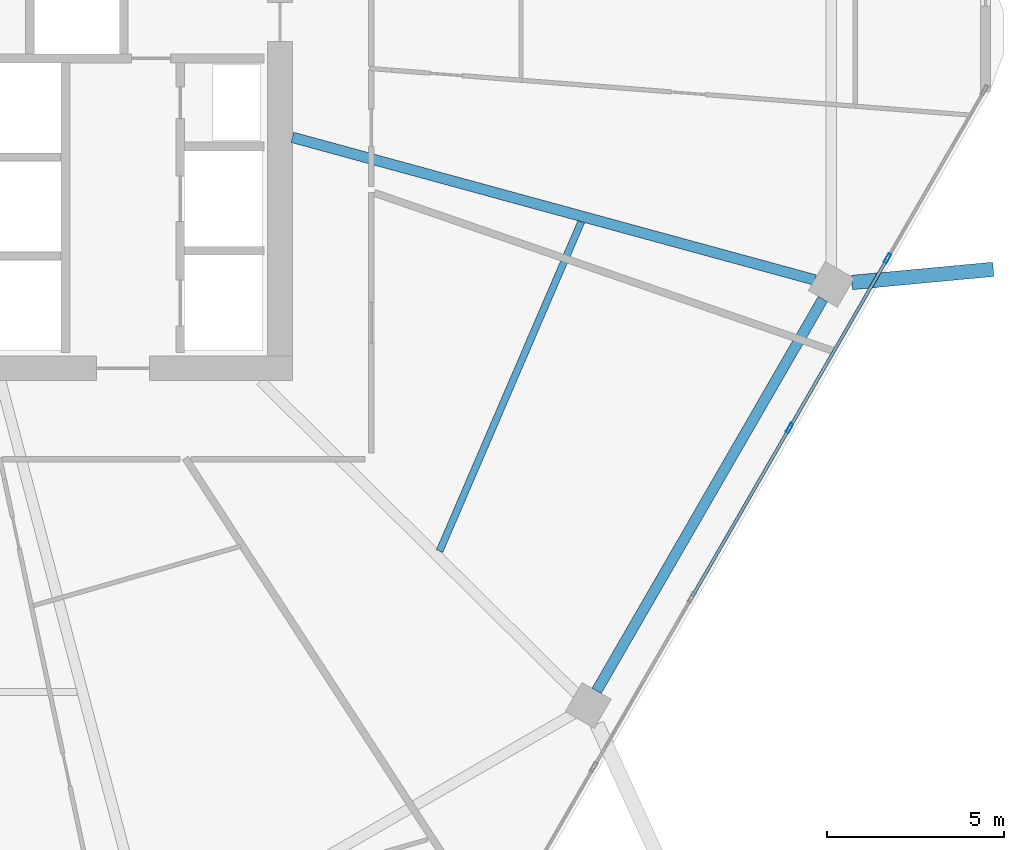
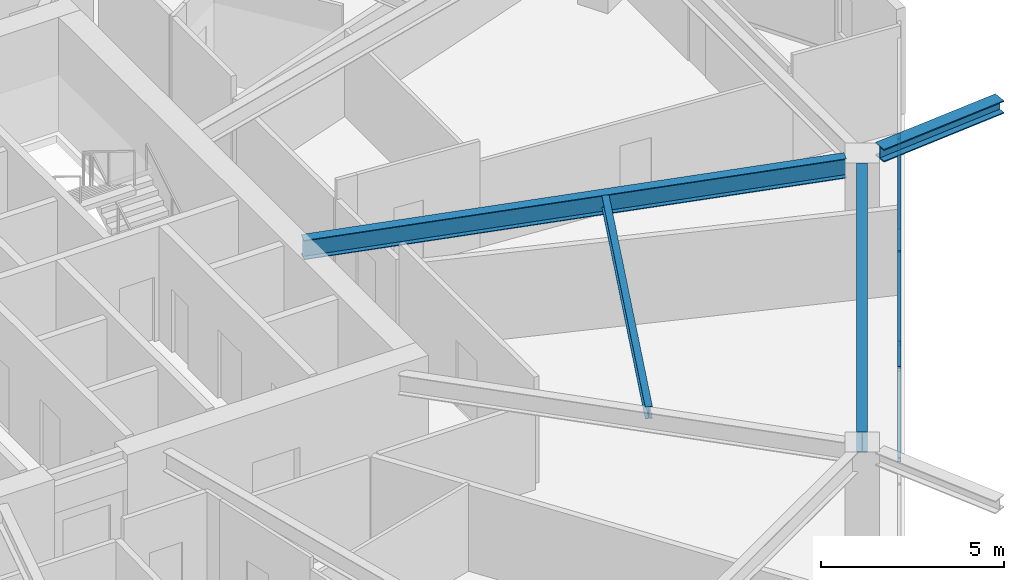
# One storey, part 9 of 27: 6 members, 4 beams, 1 element without a shape of its own.
"""IFC4 building model written with IfcOpenShell, lengths in metres."""

from ifc_helpers import new_model, si_unit, direction, frame, origin, origin_2d, place, context, subcontext, project, spatial, hollow_rectangle, i_section, extrude, material, material_profile, profile_set, type_object, element, aggregate, save


model = new_model("IFC4")

# Units and contexts
model_context = context("Model", 3, precision=1e-05, world=origin(), true_north=direction((0.0, 1.0)))
body_context = subcontext(model_context, "Body", "Model", "MODEL_VIEW")
ifc_project = project(units=[si_unit("LENGTHUNIT", "METRE"), si_unit("AREAUNIT", "SQUARE_METRE"), si_unit("VOLUMEUNIT", "CUBIC_METRE"), si_unit("PLANEANGLEUNIT", "RADIAN"), si_unit("MASSUNIT", "GRAM", prefix="KILO")], contexts=[model_context])

# Site, building, storey
site_placement = place(None, origin())
site = spatial("IfcSite", under=ifc_project, at=site_placement, CompositionType="ELEMENT")
building_placement = place(site_placement, origin())
building = spatial("IfcBuilding", under=site, at=building_placement, Name="Zuhravey Tower", CompositionType="ELEMENT")
storey_placement = place(building_placement, frame((0.0, 0.0, 218.800048828125)))
storey = spatial("IfcBuildingStorey", under=building, at=storey_placement, Name="L55", CompositionType="ELEMENT", Elevation=218.800048828125)

# Curtain wall, members
ifc_material_1 = material(Name="Thermally broken anodised aluminium", Category="aluminium")
curtain_wall_type = type_object("IfcCurtainWallType", Name="Zone 1-2 Residential Curtain Wall CW3", PredefinedType="NOTDEFINED", material=ifc_material_1)
curtain_wall_placement = place(storey_placement, origin())
curtain_wall = element("IfcCurtainWall", 1, at=curtain_wall_placement, inside=storey, type_object=curtain_wall_type, Name="L55 CW3 CW-L55-F6-1", PredefinedType="NOTDEFINED")
ifc_material_2 = material(Name="Anodised aluminium", Category="aluminium")
ifc_material_profile_1 = material_profile(ifc_material_2, hollow_rectangle(XDim=0.090087890625, YDim=0.284912109375, WallThickness=0.0048828125, at=origin_2d()), Name="ALU-RHS-90x285x5")
ifc_profile_set_1 = profile_set([ifc_material_profile_1], Name="Anodised aluminium")
member_type_1 = type_object("IfcMemberType", Name="Curtain-Wall Mullion 90x180", PredefinedType="MULLION", material=ifc_profile_set_1)
member_1_placement = place(storey_placement, frame((63.699462890625, 25.61083984375, 0.0), z_axis=(0.0, 0.0, 1.0), x_axis=(0.866025138215, -0.500000459979, 0.0)))
member_1 = element("IfcMember", 2, at=member_1_placement, type_object=member_type_1, Name="CW3 mullion 2", PredefinedType="MULLION", context=body_context, shape_type="SweptSolid", body=[
    extrude(hollow_rectangle(XDim=0.090087890625, YDim=0.284912109375, WallThickness=0.0048828125, at=origin_2d()), origin(), (0.0, 0.0, 1.0), 3.1220703125),
])
member_2_placement = place(storey_placement, frame((60.92724609375, 20.809326171875, 0.0), z_axis=(0.0, 0.0, 1.0), x_axis=(0.866025138215, -0.500000459979, 0.0)))
member_2 = element("IfcMember", 3, at=member_2_placement, type_object=member_type_1, Name="CW3 mullion 3", PredefinedType="MULLION", context=body_context, shape_type="SweptSolid", body=[
    extrude(hollow_rectangle(XDim=0.090087890625, YDim=0.284912109375, WallThickness=0.0048828125, at=origin_2d()), origin(), (0.0, 0.0, 1.0), 3.1220703125),
])
ifc_material_profile_2 = material_profile(ifc_material_2, hollow_rectangle(XDim=0.090087890625, YDim=0.14990234375, WallThickness=0.0048828125, at=origin_2d()), Name="ALU-RHS-90x150x5")
ifc_profile_set_2 = profile_set([ifc_material_profile_2], Name="Anodised aluminium")
member_type_2 = type_object("IfcMemberType", Name="Curtain-Wall Transom 90x150", PredefinedType="USERDEFINED", material=ifc_profile_set_2)
member_3_placement = place(storey_placement, frame((63.677001953125, 25.572021484375, 0.044921875), z_axis=(-0.49996138257, -0.86604769842, 0.0), x_axis=(0.86604769842, -0.49996138257, 0.0)))
member_3 = element("IfcMember", 4, at=member_3_placement, type_object=member_type_2, Name="CW3 transom 2.1", ObjectType="TRANSOM", PredefinedType="USERDEFINED", context=body_context, shape_type="SweptSolid", body=[
    extrude(hollow_rectangle(XDim=0.090087890625, YDim=0.14990234375, WallThickness=0.0048828125, at=origin_2d()), origin(), (0.0, 0.0, 1.0), 5.45458984375),
])
member_4_placement = place(storey_placement, frame((63.677001953125, 25.572021484375, 3.076904296875), z_axis=(-0.49996138257, -0.86604769842, 0.0), x_axis=(0.86604769842, -0.49996138257, 0.0)))
member_4 = element("IfcMember", 5, at=member_4_placement, type_object=member_type_2, Name="CW3 transom 2.2", ObjectType="TRANSOM", PredefinedType="USERDEFINED", context=body_context, shape_type="SweptSolid", body=[
    extrude(hollow_rectangle(XDim=0.090087890625, YDim=0.14990234375, WallThickness=0.0048828125, at=origin_2d()), origin(), (0.0, 0.0, 1.0), 5.45458984375),
])
member_5_placement = place(storey_placement, frame((60.90478515625, 20.770263671875, 0.044921875), z_axis=(-0.499980763544, -0.866036509673, 0.0), x_axis=(0.866036509673, -0.499980763544, 0.0)))
member_5 = element("IfcMember", 6, at=member_5_placement, type_object=member_type_2, Name="CW3 transom 3.1", ObjectType="TRANSOM", PredefinedType="USERDEFINED", context=body_context, shape_type="SweptSolid", body=[
    extrude(hollow_rectangle(XDim=0.090087890625, YDim=0.14990234375, WallThickness=0.0048828125, at=origin_2d()), origin(), (0.0, 0.0, 1.0), 5.454345703125),
])
member_6_placement = place(storey_placement, frame((60.90478515625, 20.770263671875, 3.076904296875), z_axis=(-0.499980763544, -0.866036509673, 0.0), x_axis=(0.866036509673, -0.499980763544, 0.0)))
member_6 = element("IfcMember", 7, at=member_6_placement, type_object=member_type_2, Name="CW3 transom 3.2", ObjectType="TRANSOM", PredefinedType="USERDEFINED", context=body_context, shape_type="SweptSolid", body=[
    extrude(hollow_rectangle(XDim=0.090087890625, YDim=0.14990234375, WallThickness=0.0048828125, at=origin_2d()), origin(), (0.0, 0.0, 1.0), 5.454345703125),
])
aggregate(curtain_wall, [member_1, member_2, member_3, member_4, member_5, member_6])

# Beams
ifc_material_3 = material(Name="Steel SM460", Category="steel")
ifc_material_profile_3 = material_profile(ifc_material_3, i_section(OverallWidth=0.406982421875, OverallDepth=0.427978515625, WebThickness=0.02001953125, FlangeThickness=0.034912109375, at=origin_2d()), Name="H-428x407x20x35")
ifc_profile_set_3 = profile_set([ifc_material_profile_3], Name="Steel SM460")
beam_type_1 = type_object("IfcBeamType", Name="Exoskeleton Node Tie Beam H428x407", PredefinedType="BEAM", material=ifc_profile_set_3)
beam_1_placement = place(storey_placement, frame((62.69140625, 24.927978515625, 3.3359375), z_axis=(0.995662575361, 0.0930378204, 0.0), x_axis=(-0.0930378204, 0.995662575361, 0.0)))
element("IfcBeam", 8, at=beam_1_placement, inside=storey, type_object=beam_type_1, Name="L55 Exoskeleton Node Tie NT1-12", PredefinedType="BEAM", context=body_context, shape_type="SweptSolid", body=[
    extrude(i_section(OverallWidth=0.406982421875, OverallDepth=0.427978515625, WebThickness=0.02001953125, FlangeThickness=0.034912109375, at=origin_2d()), origin(), (0.0, 0.0, 1.0), 4.02001953125),
])
ifc_material_4 = material(Name="Steel SM355", Category="steel")
ifc_material_profile_4 = material_profile(ifc_material_4, i_section(OverallWidth=0.300048828125, OverallDepth=0.679931640625, WebThickness=0.012939453125, FlangeThickness=0.02197265625, at=origin_2d()), Name="H-680x300x13x22")
ifc_profile_set_4 = profile_set([ifc_material_profile_4], Name="Steel SM355")
beam_type_2 = type_object("IfcBeamType", Name="Perimeter Ring Beam H680x300", PredefinedType="BEAM", material=ifc_profile_set_4)
beam_2_placement = place(storey_placement, frame((55.464599609375, 13.367431640625, 3.2099609375), z_axis=(0.500003505699, 0.866023379758, 0.0), x_axis=(-0.866023379758, 0.500003505699, 0.0)))
element("IfcBeam", 9, at=beam_2_placement, inside=storey, type_object=beam_type_2, Name="L55 PB2 BM-L55-PB-11", PredefinedType="BEAM", context=body_context, shape_type="SweptSolid", body=[
    extrude(i_section(OverallWidth=0.300048828125, OverallDepth=0.679931640625, WebThickness=0.012939453125, FlangeThickness=0.02197265625, at=origin_2d()), origin(), (0.0, 0.0, 1.0), 12.80810546875),
])
ifc_material_profile_5 = material_profile(ifc_material_4, i_section(OverallWidth=0.300048828125, OverallDepth=0.64990234375, WebThickness=0.012939453125, FlangeThickness=0.02197265625, at=origin_2d()), Name="H-650x300x13x22")
ifc_profile_set_5 = profile_set([ifc_material_profile_5], Name="Steel SM355")
beam_type_3 = type_object("IfcBeamType", Name="Radial Primary Girder H650x300", PredefinedType="BEAM", material=ifc_profile_set_5)
beam_3_placement = place(storey_placement, frame((46.85302734375, 29.03759765625, 3.224853515625), z_axis=(0.964701703464, -0.263345065139, 0.0), x_axis=(0.263345065139, 0.964701703464, 0.0)))
element("IfcBeam", 10, at=beam_3_placement, inside=storey, type_object=beam_type_3, Name="L55 RG2 BM-L55-RAD-12", PredefinedType="BEAM", context=body_context, shape_type="SweptSolid", body=[
    extrude(i_section(OverallWidth=0.300048828125, OverallDepth=0.64990234375, WebThickness=0.012939453125, FlangeThickness=0.02197265625, at=origin_2d()), origin(), (0.0, 0.0, 1.0), 15.334716796875),
])
ifc_material_profile_6 = material_profile(ifc_material_4, i_section(OverallWidth=0.199951171875, OverallDepth=0.39990234375, WebThickness=0.008056640625, FlangeThickness=0.012939453125, at=origin_2d()), Name="H-400x200x8x13")
ifc_profile_set_6 = profile_set([ifc_material_profile_6], Name="Steel SM355")
beam_type_4 = type_object("IfcBeamType", Name="Secondary Floor Joist H400x200", PredefinedType="JOIST", material=ifc_profile_set_6)
beam_4_placement = place(storey_placement, frame((51.017578125, 17.323974609375, 3.349853515625), z_axis=(0.395265853487, 0.918566766799, 0.0), x_axis=(-0.918566766799, 0.395265853487, 0.0)))
element("IfcBeam", 11, at=beam_4_placement, inside=storey, type_object=beam_type_4, Name="L55 SJ2 BM-L55-SJ-11-1", PredefinedType="JOIST", context=body_context, shape_type="SweptSolid", body=[
    extrude(i_section(OverallWidth=0.199951171875, OverallDepth=0.39990234375, WebThickness=0.008056640625, FlangeThickness=0.012939453125, at=origin_2d()), origin(), (0.0, 0.0, 1.0), 10.150146484375),
])

save(model, "model.ifc")
